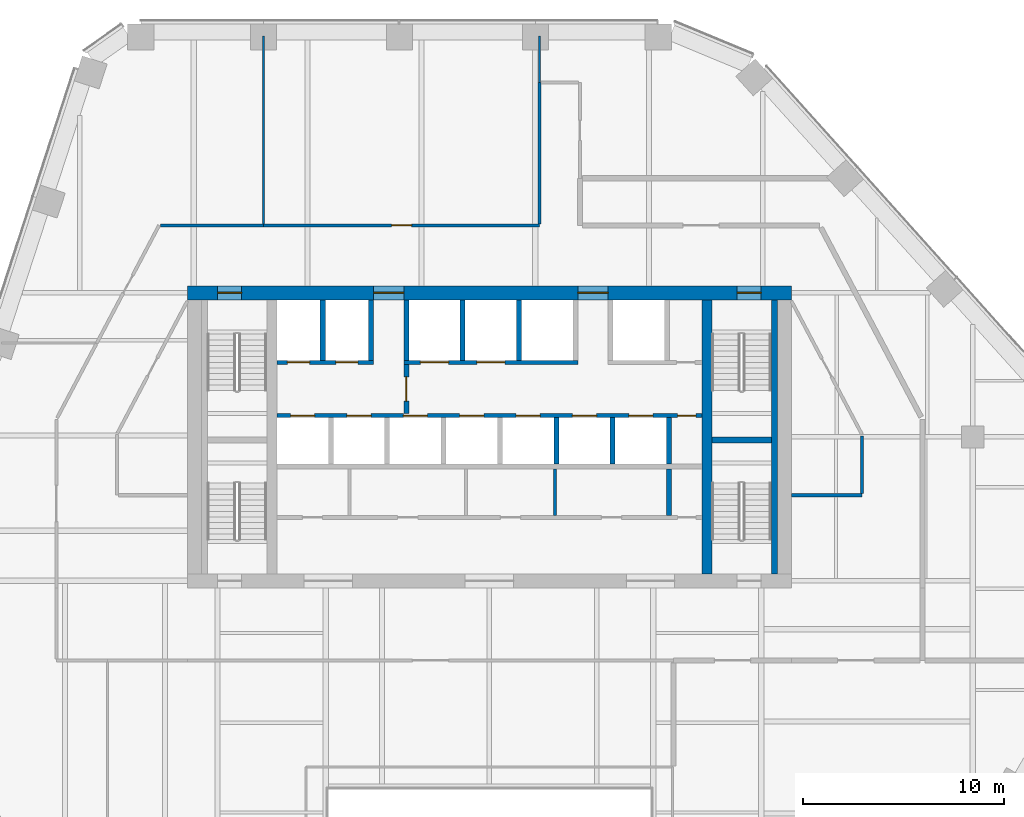
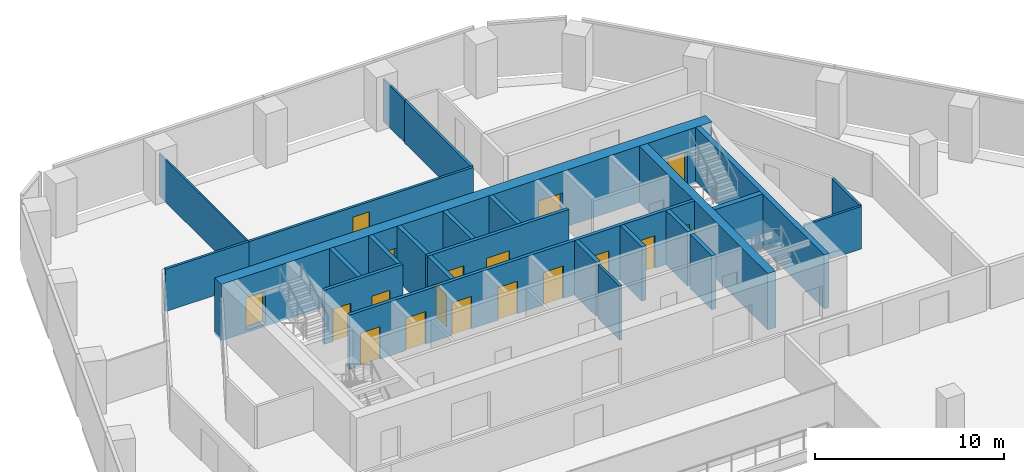
# One storey, part 12 of 16: 25 walls, 18 doors, 18 openings.
"""IFC4 building model written with IfcOpenShell, lengths in metres."""

from ifc_helpers import new_model, si_unit, direction, frame, frame_2d, origin, place, context, subcontext, project, spatial, rectangle, extrude, material, layer, layer_set, type_object, element, fill, save


model = new_model("IFC4")

# Units and contexts
model_context = context("Model", 3, precision=1e-05, world=origin(), true_north=direction((0.0, 1.0)))
body_context = subcontext(model_context, "Body", "Model", "MODEL_VIEW")
ifc_project = project(units=[si_unit("LENGTHUNIT", "METRE"), si_unit("AREAUNIT", "SQUARE_METRE"), si_unit("VOLUMEUNIT", "CUBIC_METRE"), si_unit("PLANEANGLEUNIT", "RADIAN"), si_unit("MASSUNIT", "GRAM", prefix="KILO")], contexts=[model_context])

# Site, building, storey
site_placement = place(None, origin())
site = spatial("IfcSite", under=ifc_project, at=site_placement, CompositionType="ELEMENT")
building_placement = place(site_placement, origin())
building = spatial("IfcBuilding", under=site, at=building_placement, Name="Isthmus Gate Tower", CompositionType="ELEMENT")
storey_placement = place(building_placement, frame((0.0, 0.0, 170.800048828125)))
storey = spatial("IfcBuildingStorey", under=building, at=storey_placement, Name="L42", CompositionType="ELEMENT", Elevation=170.800048828125)

# Wall, opening, door
ifc_material_1 = material(Name="Gypsum board on steel studs, fire-rated", Category="steel")
ifc_layer_1 = layer(ifc_material_1, 0.14990234375)
ifc_layer_set_1 = layer_set([ifc_layer_1], Name="CORRIDOR WALL 150 60 MIN")
wall_type_1 = type_object("IfcWallType", Name="CORRIDOR WALL 150 60 MIN", PredefinedType="PARTITIONING", material=ifc_layer_set_1)
wall_1_placement = place(storey_placement, frame((-11.2119140625, 18.0, 0.0), z_axis=(0.0, 0.0, 1.0), x_axis=(1.0, 0.0, 0.0)))
wall_1 = element("IfcWall", 1, at=wall_1_placement, inside=storey, type_object=wall_type_1, Name="L42 Corridor Wall 150 60 Min", PredefinedType="PARTITIONING", context=body_context, shape_type="SweptSolid", body=[
    extrude(rectangle(XDim=13.7119140625, YDim=0.14990234375, at=frame_2d((6.85595703125, 0.0))), origin(), (0.0, 0.0, 1.0), 2.7412109375),
])
opening_1_placement = place(wall_1_placement, frame((6.35595703125, 0.0, 0.0)))
opening_1 = element("IfcOpeningElement", 2, at=opening_1_placement, cuts=wall_1, Name="Opening DT-T4A-01", PredefinedType="OPENING", context=body_context, shape_type="SweptSolid", body=[
    extrude(rectangle(XDim=1.0, YDim=2.10009765625, at=frame_2d((0.5, 1.050048828125))), frame((0.0, 0.0849609375, 0.0), z_axis=(0.0, -1.0, 0.0), x_axis=(1.0, 0.0, 0.0)), (0.0, 0.0, 1.0), 0.169921875),
])
ifc_material_2 = material(Name="Solid core timber door leaf, fire-rated", Category="wood")
door_type_1 = type_object("IfcDoorType", Name="FIRE DOOR ROOM 1000 X 2100 60 MIN", OperationType="SINGLE_SWING_LEFT", PredefinedType="DOOR", material=ifc_material_2)
door_1_placement = place(opening_1_placement, origin())
door_1 = element("IfcDoor", 3, at=door_1_placement, inside=storey, type_object=door_type_1, Name="L42 room door", OperationType="SINGLE_SWING_RIGHT", OverallHeight=2.10009765625, OverallWidth=1.0, PredefinedType="DOOR", context=body_context, shape_type="SweptSolid", body=[
    extrude(rectangle(XDim=1.0, YDim=2.10009765625, at=frame_2d((0.5, 1.050048828125))), frame((0.0, 0.02490234375, 0.0), z_axis=(0.0, -1.0, 0.0), x_axis=(1.0, 0.0, 0.0)), (0.0, 0.0, 1.0), 0.050048828125),
])
fill(opening_1, door_1)

# Walls
wall_2_placement = place(storey_placement, frame((2.5, 18.074951171875, 0.0), z_axis=(0.0, 0.0, 1.0), x_axis=(0.0, 1.0, 0.0)))
element("IfcWall", 4, at=wall_2_placement, inside=storey, type_object=wall_type_1, Name="L42 Corridor Wall 150 60 Min", PredefinedType="PARTITIONING", context=body_context, shape_type="SweptSolid", body=[
    extrude(rectangle(XDim=7.025146484375, YDim=0.14990234375, at=frame_2d((3.5126953125, 0.0))), origin(), (0.0, 0.0, 1.0), 2.7412109375),
])
wall_3_placement = place(storey_placement, frame((-16.327880859375, 18.0, 0.0), z_axis=(0.0, 0.0, 1.0), x_axis=(1.0, 0.0, 0.0)))
element("IfcWall", 5, at=wall_3_placement, inside=storey, type_object=wall_type_1, Name="L42 Corridor Wall 150 60 Min", PredefinedType="PARTITIONING", context=body_context, shape_type="SweptSolid", body=[
    extrude(rectangle(XDim=5.115966796875, YDim=0.14990234375, at=frame_2d((2.55810546875, 0.0))), origin(), (0.0, 0.0, 1.0), 2.7412109375),
])
wall_4_placement = place(storey_placement, frame((15.0, 4.60009765625, 0.0), z_axis=(0.0, 0.0, 1.0), x_axis=(1.0, 0.0, 0.0)))
element("IfcWall", 6, at=wall_4_placement, inside=storey, type_object=wall_type_1, Name="L42 Corridor Wall 150 60 Min", PredefinedType="PARTITIONING", context=body_context, shape_type="SweptSolid", body=[
    extrude(rectangle(XDim=3.5, YDim=0.14990234375, at=frame_2d((1.75, 0.0))), origin(), (0.0, 0.0, 1.0), 2.7412109375),
])
wall_5_placement = place(storey_placement, frame((18.5, 4.675048828125, 0.0), z_axis=(0.0, 0.0, 1.0), x_axis=(0.0, 1.0, 0.0)))
element("IfcWall", 7, at=wall_5_placement, inside=storey, type_object=wall_type_1, Name="L42 Corridor Wall 150 60 Min", PredefinedType="PARTITIONING", context=body_context, shape_type="SweptSolid", body=[
    extrude(rectangle(XDim=2.876953125, YDim=0.14990234375, at=frame_2d((1.4384765625, 0.0))), origin(), (0.0, 0.0, 1.0), 2.7412109375),
])

# Wall, opening, door
ifc_material_3 = material(Name="Fire-rated blockwork masonry, 15 MPa", Category="masonry")
ifc_layer_2 = layer(ifc_material_3, 0.25)
ifc_layer_set_2 = layer_set([ifc_layer_2], Name="FIRE-FIGHTING LOBBY WALL 250 90 MIN")
wall_type_2 = type_object("IfcWallType", Name="FIRE-FIGHTING LOBBY WALL 250 90 MIN", PredefinedType="PARTITIONING", material=ifc_layer_set_2)
wall_6_placement = place(storey_placement, frame((-4.125, 8.64990234375, 0.0), z_axis=(0.0, 0.0, 1.0), x_axis=(0.0, 1.0, 0.0)))
wall_6 = element("IfcWall", 8, at=wall_6_placement, inside=storey, type_object=wall_type_2, Name="L42 FIRE-FIGHTING LOBBY WALL 250 90 MIN", PredefinedType="PARTITIONING", context=body_context, shape_type="SweptSolid", body=[
    extrude(rectangle(XDim=2.4501953125, YDim=0.25, at=frame_2d((1.22509765625, 0.0))), origin(), (0.0, 0.0, 1.0), 3.5),
])
opening_2_placement = place(wall_6_placement, frame((0.625, 0.0, 0.0)))
opening_2 = element("IfcOpeningElement", 9, at=opening_2_placement, cuts=wall_6, Name="Opening DC-A13-01", PredefinedType="OPENING", context=body_context, shape_type="SweptSolid", body=[
    extrude(rectangle(XDim=1.199951171875, YDim=2.10009765625, at=frame_2d((0.60009765625, 1.050048828125))), frame((0.0, 0.135009765625, 0.0), z_axis=(0.0, -1.0, 0.0), x_axis=(1.0, 0.0, 0.0)), (0.0, 0.0, 1.0), 0.27001953125),
])
ifc_material_4 = material(Name="Steel door leaf, fire-rated", Category="steel")
door_type_2 = type_object("IfcDoorType", Name="LOBBY FIRE DOOR 1200 X 2100 90 MIN", OperationType="DOUBLE_DOOR_SINGLE_SWING", PredefinedType="DOOR", material=ifc_material_4)
door_2_placement = place(opening_2_placement, origin())
door_2 = element("IfcDoor", 10, at=door_2_placement, inside=storey, type_object=door_type_2, Name="Fire-fighting Lobby Door", OperationType="SINGLE_SWING_LEFT", OverallHeight=2.10009765625, OverallWidth=1.199951171875, PredefinedType="DOOR", context=body_context, shape_type="SweptSolid", body=[
    extrude(rectangle(XDim=1.199951171875, YDim=2.10009765625, at=frame_2d((0.60009765625, 1.050048828125))), frame((0.0, 0.02490234375, 0.0), z_axis=(0.0, -1.0, 0.0), x_axis=(1.0, 0.0, 0.0)), (0.0, 0.0, 1.0), 0.050048828125),
])
fill(opening_2, door_2)

# Wall
ifc_material_5 = material(Name="Concrete f'c 60 MPa", Category="concrete")
ifc_layer_3 = layer(ifc_material_5, 0.5)
ifc_layer_set_3 = layer_set([ifc_layer_3], Name="RC CORE SPINE WALL 500 F'C 60")
wall_type_3 = type_object("IfcWallType", Name="RC CORE SPINE WALL 500 F'C 60", PredefinedType="SOLIDWALL", material=ifc_layer_set_3)
wall_7_placement = place(storey_placement, frame((10.800048828125, 0.699951171875, -0.150146484375), z_axis=(0.0, 0.0, 1.0), x_axis=(0.0, 1.0, 0.0)))
element("IfcWall", 11, at=wall_7_placement, inside=storey, type_object=wall_type_3, Name="str-corewall-L42-SPE", PredefinedType="SOLIDWALL", context=body_context, shape_type="SweptSolid", body=[
    extrude(rectangle(XDim=13.60009765625, YDim=0.5, at=frame_2d((6.800048828125, 0.0))), origin(), (0.0, 0.0, 1.0), 3.650146484375),
])

# Wall, openings, doors
ifc_material_6 = material(Name="Concrete f'c 60 MPa", Category="concrete")
ifc_layer_4 = layer(ifc_material_6, 0.699951171875)
ifc_layer_set_4 = layer_set([ifc_layer_4], Name="RC CORE WALL 700 F'C 60")
wall_type_4 = type_object("IfcWallType", Name="RC CORE WALL 700 F'C 60", PredefinedType="SOLIDWALL", material=ifc_layer_set_4)
wall_8_placement = place(storey_placement, frame((-15.0, 14.64990234375, -0.150146484375), z_axis=(0.0, 0.0, 1.0), x_axis=(1.0, 0.0, 0.0)))
wall_8 = element("IfcWall", 12, at=wall_8_placement, inside=storey, type_object=wall_type_4, Name="str-corewall-L42-N", PredefinedType="SOLIDWALL", context=body_context, shape_type="SweptSolid", body=[
    extrude(rectangle(XDim=30.0, YDim=0.699951171875, at=frame_2d((15.0, 0.0))), origin(), (0.0, 0.0, 1.0), 3.650146484375),
])
opening_3_placement = place(wall_8_placement, frame((9.25, 0.0, 0.14990234375)))
opening_3 = element("IfcOpeningElement", 13, at=opening_3_placement, cuts=wall_8, Name="Opening DC-A13-12", PredefinedType="OPENING", context=body_context, shape_type="SweptSolid", body=[
    extrude(rectangle(XDim=1.5, YDim=2.10009765625, at=frame_2d((0.75, 1.050048828125))), frame((0.0, 0.35986328125, 0.0), z_axis=(0.0, -1.0, 0.0), x_axis=(1.0, 0.0, 0.0)), (0.0, 0.0, 1.0), 0.719970703125),
])
opening_4_placement = place(wall_8_placement, frame((19.39990234375, 0.0, 0.14990234375)))
opening_4 = element("IfcOpeningElement", 14, at=opening_4_placement, cuts=wall_8, Name="Opening DC-A13-13", PredefinedType="OPENING", context=body_context, shape_type="SweptSolid", body=[
    extrude(rectangle(XDim=1.5, YDim=2.10009765625, at=frame_2d((0.75, 1.050048828125))), frame((0.0, 0.35986328125, 0.0), z_axis=(0.0, -1.0, 0.0), x_axis=(1.0, 0.0, 0.0)), (0.0, 0.0, 1.0), 0.719970703125),
])
opening_5_placement = place(wall_8_placement, frame((1.5, 0.0, 0.14990234375)))
opening_5 = element("IfcOpeningElement", 15, at=opening_5_placement, cuts=wall_8, Name="Opening DC-A13-14", PredefinedType="OPENING", context=body_context, shape_type="SweptSolid", body=[
    extrude(rectangle(XDim=1.199951171875, YDim=2.10009765625, at=frame_2d((0.60009765625, 1.050048828125))), frame((0.0, 0.35986328125, 0.0), z_axis=(0.0, -1.0, 0.0), x_axis=(1.0, 0.0, 0.0)), (0.0, 0.0, 1.0), 0.719970703125),
])
opening_6_placement = place(wall_8_placement, frame((27.300048828125, 0.0, 0.14990234375)))
opening_6 = element("IfcOpeningElement", 16, at=opening_6_placement, cuts=wall_8, Name="Opening DC-A13-15", PredefinedType="OPENING", context=body_context, shape_type="SweptSolid", body=[
    extrude(rectangle(XDim=1.199951171875, YDim=2.10009765625, at=frame_2d((0.60009765625, 1.050048828125))), frame((0.0, 0.35986328125, 0.0), z_axis=(0.0, -1.0, 0.0), x_axis=(1.0, 0.0, 0.0)), (0.0, 0.0, 1.0), 0.719970703125),
])
ifc_material_7 = material(Name="Steel door leaf, fire-rated", Category="steel")
door_type_3 = type_object("IfcDoorType", Name="LOBBY FIRE DOOR 1500 X 2100 60 MIN", OperationType="DOUBLE_DOOR_SINGLE_SWING", PredefinedType="DOOR", material=ifc_material_7)
door_3_placement = place(opening_4_placement, origin())
door_3 = element("IfcDoor", 17, at=door_3_placement, inside=storey, type_object=door_type_3, Name="Lobby Door PN-E", OperationType="DOUBLE_DOOR_SINGLE_SWING", OverallHeight=2.10009765625, OverallWidth=1.5, PredefinedType="DOOR", context=body_context, shape_type="SweptSolid", body=[
    extrude(rectangle(XDim=1.5, YDim=2.10009765625, at=frame_2d((0.75, 1.050048828125))), frame((0.0, 0.02490234375, 0.0), z_axis=(0.0, -1.0, 0.0), x_axis=(1.0, 0.0, 0.0)), (0.0, 0.0, 1.0), 0.050048828125),
])
fill(opening_4, door_3)
ifc_material_8 = material(Name="Steel door leaf, fire-rated", Category="steel")
door_type_4 = type_object("IfcDoorType", Name="LOBBY FIRE DOOR 1500 X 2100 90 MIN", OperationType="DOUBLE_DOOR_SINGLE_SWING", PredefinedType="DOOR", material=ifc_material_8)
door_4_placement = place(opening_3_placement, origin())
door_4 = element("IfcDoor", 18, at=door_4_placement, inside=storey, type_object=door_type_4, Name="Lobby Door PN-W", OperationType="DOUBLE_DOOR_SINGLE_SWING", OverallHeight=2.10009765625, OverallWidth=1.5, PredefinedType="DOOR", context=body_context, shape_type="SweptSolid", body=[
    extrude(rectangle(XDim=1.5, YDim=2.10009765625, at=frame_2d((0.75, 1.050048828125))), frame((0.0, 0.02490234375, 0.0), z_axis=(0.0, -1.0, 0.0), x_axis=(1.0, 0.0, 0.0)), (0.0, 0.0, 1.0), 0.050048828125),
])
fill(opening_3, door_4)
ifc_material_9 = material(Name="Steel door leaf, fire-rated", Category="steel")
door_type_5 = type_object("IfcDoorType", Name="STAIR FIRE DOOR 1200 X 2100 90 MIN", OperationType="SINGLE_SWING_LEFT", PredefinedType="DOOR", material=ifc_material_9)
door_5_placement = place(opening_5_placement, origin())
door_5 = element("IfcDoor", 19, at=door_5_placement, inside=storey, type_object=door_type_5, Name="Exit Stair 1 Door", OperationType="SINGLE_SWING_RIGHT", OverallHeight=2.10009765625, OverallWidth=1.199951171875, PredefinedType="DOOR", context=body_context, shape_type="SweptSolid", body=[
    extrude(rectangle(XDim=1.199951171875, YDim=2.10009765625, at=frame_2d((0.60009765625, 1.050048828125))), frame((0.0, 0.02490234375, 0.0), z_axis=(0.0, -1.0, 0.0), x_axis=(1.0, 0.0, 0.0)), (0.0, 0.0, 1.0), 0.050048828125),
])
fill(opening_5, door_5)
door_6_placement = place(opening_6_placement, origin())
door_6 = element("IfcDoor", 20, at=door_6_placement, inside=storey, type_object=door_type_5, Name="Exit Stair 2 Door", OperationType="SINGLE_SWING_LEFT", OverallHeight=2.10009765625, OverallWidth=1.199951171875, PredefinedType="DOOR", context=body_context, shape_type="SweptSolid", body=[
    extrude(rectangle(XDim=1.199951171875, YDim=2.10009765625, at=frame_2d((0.60009765625, 1.050048828125))), frame((0.0, 0.02490234375, 0.0), z_axis=(0.0, -1.0, 0.0), x_axis=(1.0, 0.0, 0.0)), (0.0, 0.0, 1.0), 0.050048828125),
])
fill(opening_6, door_6)

# Walls
ifc_material_10 = material(Name="Gypsum board on steel studs, fire-rated", Category="steel")
ifc_layer_5 = layer(ifc_material_10, 0.10009765625)
ifc_layer_set_5 = layer_set([ifc_layer_5], Name="ROOM PARTITION 100 30 MIN")
wall_type_5 = type_object("IfcWallType", Name="ROOM PARTITION 100 30 MIN", PredefinedType="PARTITIONING", material=ifc_layer_set_5)
wall_9_placement = place(storey_placement, frame((2.5, 25.10009765625, 0.0), z_axis=(0.0, 0.0, 1.0), x_axis=(0.0, 1.0, 0.0)))
element("IfcWall", 21, at=wall_9_placement, inside=storey, type_object=wall_type_5, Name="L42 Room Partition 100 30 Min", PredefinedType="PARTITIONING", context=body_context, shape_type="SweptSolid", body=[
    extrude(rectangle(XDim=2.2998046875, YDim=0.10009765625, at=frame_2d((1.14990234375, 0.0))), origin(), (0.0, 0.0, 1.0), 2.7412109375),
])
wall_10_placement = place(storey_placement, frame((-11.2119140625, 18.074951171875, 0.0), z_axis=(0.0, 0.0, 1.0), x_axis=(0.0, 1.0, 0.0)))
element("IfcWall", 22, at=wall_10_placement, inside=storey, type_object=wall_type_5, Name="L42 Room Partition 100 30 Min", PredefinedType="PARTITIONING", context=body_context, shape_type="SweptSolid", body=[
    extrude(rectangle(XDim=9.324951171875, YDim=0.10009765625, at=frame_2d((4.66259765625, 0.0))), origin(), (0.0, 0.0, 1.0), 2.7412109375),
])
ifc_material_11 = material(Name="Gypsum board on steel studs, fire-rated", Category="steel")
ifc_layer_6 = layer(ifc_material_11, 0.14990234375)
ifc_layer_set_6 = layer_set([ifc_layer_6], Name="ROOM PARTITION 150 60 MIN")
wall_type_6 = type_object("IfcWallType", Name="ROOM PARTITION 150 60 MIN", PredefinedType="PARTITIONING", material=ifc_layer_set_6)
wall_11_placement = place(storey_placement, frame((3.25, 3.60009765625, 0.0), z_axis=(0.0, 0.0, 1.0), x_axis=(0.0, 1.0, 0.0)))
element("IfcWall", 23, at=wall_11_placement, inside=storey, type_object=wall_type_6, Name="L42 ROOM PARTITION 150 60 MIN", PredefinedType="PARTITIONING", context=body_context, shape_type="SweptSolid", body=[
    extrude(rectangle(XDim=2.2998046875, YDim=0.14990234375, at=frame_2d((1.14990234375, 0.0))), origin(), (0.0, 0.0, 1.0), 3.5),
])

# Wall, openings, doors
ifc_material_12 = material(Name="Fire-rated blockwork masonry, 15 MPa", Category="masonry")
ifc_layer_7 = layer(ifc_material_12, 0.199951171875)
ifc_layer_set_7 = layer_set([ifc_layer_7], Name="SHAFT FRONT WALL 200 120 MIN")
wall_type_7 = type_object("IfcWallType", Name="SHAFT FRONT WALL 200 120 MIN", PredefinedType="PARTITIONING", material=ifc_layer_set_7)
wall_12_placement = place(storey_placement, frame((-10.550048828125, 8.550048828125, 0.0), z_axis=(0.0, 0.0, 1.0), x_axis=(1.0, 0.0, 0.0)))
wall_12 = element("IfcWall", 24, at=wall_12_placement, inside=storey, type_object=wall_type_7, Name="L42 SHAFT FRONT WALL 200 120 MIN", PredefinedType="PARTITIONING", context=body_context, shape_type="SweptSolid", body=[
    extrude(rectangle(XDim=21.10009765625, YDim=0.199951171875, at=frame_2d((10.550048828125, 0.0))), origin(), (0.0, 0.0, 1.0), 3.5),
])
opening_7_placement = place(wall_12_placement, frame((0.675048828125, 0.0, 0.0)))
opening_7 = element("IfcOpeningElement", 25, at=opening_7_placement, cuts=wall_12, Name="Opening LD-LB1", PredefinedType="OPENING", context=body_context, shape_type="SweptSolid", body=[
    extrude(rectangle(XDim=1.199951171875, YDim=2.10009765625, at=frame_2d((0.60009765625, 1.050048828125))), frame((0.0, 0.10986328125, 0.0), z_axis=(0.0, -1.0, 0.0), x_axis=(1.0, 0.0, 0.0)), (0.0, 0.0, 1.0), 0.219970703125),
])
opening_8_placement = place(wall_12_placement, frame((3.47509765625, 0.0, 0.0)))
opening_8 = element("IfcOpeningElement", 26, at=opening_8_placement, cuts=wall_12, Name="Opening LD-LB2", PredefinedType="OPENING", context=body_context, shape_type="SweptSolid", body=[
    extrude(rectangle(XDim=1.199951171875, YDim=2.10009765625, at=frame_2d((0.60009765625, 1.050048828125))), frame((0.0, 0.10986328125, 0.0), z_axis=(0.0, -1.0, 0.0), x_axis=(1.0, 0.0, 0.0)), (0.0, 0.0, 1.0), 0.219970703125),
])
opening_9_placement = place(wall_12_placement, frame((6.27490234375, 0.0, 0.0)))
opening_9 = element("IfcOpeningElement", 27, at=opening_9_placement, cuts=wall_12, Name="Opening LD-LB3", PredefinedType="OPENING", context=body_context, shape_type="SweptSolid", body=[
    extrude(rectangle(XDim=1.199951171875, YDim=2.10009765625, at=frame_2d((0.60009765625, 1.050048828125))), frame((0.0, 0.10986328125, 0.0), z_axis=(0.0, -1.0, 0.0), x_axis=(1.0, 0.0, 0.0)), (0.0, 0.0, 1.0), 0.219970703125),
])
opening_10_placement = place(wall_12_placement, frame((9.074951171875, 0.0, 0.0)))
opening_10 = element("IfcOpeningElement", 28, at=opening_10_placement, cuts=wall_12, Name="Opening LD-LB4", PredefinedType="OPENING", context=body_context, shape_type="SweptSolid", body=[
    extrude(rectangle(XDim=1.199951171875, YDim=2.10009765625, at=frame_2d((0.60009765625, 1.050048828125))), frame((0.0, 0.10986328125, 0.0), z_axis=(0.0, -1.0, 0.0), x_axis=(1.0, 0.0, 0.0)), (0.0, 0.0, 1.0), 0.219970703125),
])
opening_11_placement = place(wall_12_placement, frame((11.875, 0.0, 0.0)))
opening_11 = element("IfcOpeningElement", 29, at=opening_11_placement, cuts=wall_12, Name="Opening LD-LB5", PredefinedType="OPENING", context=body_context, shape_type="SweptSolid", body=[
    extrude(rectangle(XDim=1.199951171875, YDim=2.10009765625, at=frame_2d((0.60009765625, 1.050048828125))), frame((0.0, 0.10986328125, 0.0), z_axis=(0.0, -1.0, 0.0), x_axis=(1.0, 0.0, 0.0)), (0.0, 0.0, 1.0), 0.219970703125),
])
opening_12_placement = place(wall_12_placement, frame((14.675048828125, 0.0, 0.0)))
opening_12 = element("IfcOpeningElement", 30, at=opening_12_placement, cuts=wall_12, Name="Opening LD-LB6", PredefinedType="OPENING", context=body_context, shape_type="SweptSolid", body=[
    extrude(rectangle(XDim=1.199951171875, YDim=2.10009765625, at=frame_2d((0.60009765625, 1.050048828125))), frame((0.0, 0.10986328125, 0.0), z_axis=(0.0, -1.0, 0.0), x_axis=(1.0, 0.0, 0.0)), (0.0, 0.0, 1.0), 0.219970703125),
])
opening_13_placement = place(wall_12_placement, frame((17.47509765625, 0.0, 0.0)))
opening_13 = element("IfcOpeningElement", 31, at=opening_13_placement, cuts=wall_12, Name="Opening LD-LB7", PredefinedType="OPENING", context=body_context, shape_type="SweptSolid", body=[
    extrude(rectangle(XDim=1.199951171875, YDim=2.10009765625, at=frame_2d((0.60009765625, 1.050048828125))), frame((0.0, 0.10986328125, 0.0), z_axis=(0.0, -1.0, 0.0), x_axis=(1.0, 0.0, 0.0)), (0.0, 0.0, 1.0), 0.219970703125),
])
opening_14_placement = place(wall_12_placement, frame((19.89990234375, 0.0, 0.0)))
opening_14 = element("IfcOpeningElement", 32, at=opening_14_placement, cuts=wall_12, Name="Opening DC-A13-07", PredefinedType="OPENING", context=body_context, shape_type="SweptSolid", body=[
    extrude(rectangle(XDim=0.89990234375, YDim=2.10009765625, at=frame_2d((0.449951171875, 1.050048828125))), frame((0.0, 0.10986328125, 0.0), z_axis=(0.0, -1.0, 0.0), x_axis=(1.0, 0.0, 0.0)), (0.0, 0.0, 1.0), 0.219970703125),
])
ifc_material_13 = material(Name="Stainless steel sliding leaf", Category="steel")
door_type_6 = type_object("IfcDoorType", Name="LIFT LANDING FIRE DOOR 1200 X 2100 90 MIN", OperationType="DOUBLE_DOOR_SLIDING", PredefinedType="DOOR", material=ifc_material_13)
door_7_placement = place(opening_7_placement, origin())
door_7 = element("IfcDoor", 33, at=door_7_placement, inside=storey, type_object=door_type_6, Name="Lift Landing Door LB1", OperationType="DOUBLE_DOOR_SLIDING", OverallHeight=2.10009765625, OverallWidth=1.199951171875, PredefinedType="DOOR", context=body_context, shape_type="SweptSolid", body=[
    extrude(rectangle(XDim=1.199951171875, YDim=2.10009765625, at=frame_2d((0.60009765625, 1.050048828125))), frame((0.0, 0.02490234375, 0.0), z_axis=(0.0, -1.0, 0.0), x_axis=(1.0, 0.0, 0.0)), (0.0, 0.0, 1.0), 0.050048828125),
])
fill(opening_7, door_7)
door_8_placement = place(opening_8_placement, origin())
door_8 = element("IfcDoor", 34, at=door_8_placement, inside=storey, type_object=door_type_6, Name="Lift Landing Door LB2", OperationType="DOUBLE_DOOR_SLIDING", OverallHeight=2.10009765625, OverallWidth=1.199951171875, PredefinedType="DOOR", context=body_context, shape_type="SweptSolid", body=[
    extrude(rectangle(XDim=1.199951171875, YDim=2.10009765625, at=frame_2d((0.60009765625, 1.050048828125))), frame((0.0, 0.02490234375, 0.0), z_axis=(0.0, -1.0, 0.0), x_axis=(1.0, 0.0, 0.0)), (0.0, 0.0, 1.0), 0.050048828125),
])
fill(opening_8, door_8)
door_9_placement = place(opening_9_placement, origin())
door_9 = element("IfcDoor", 35, at=door_9_placement, inside=storey, type_object=door_type_6, Name="Lift Landing Door LB3", OperationType="DOUBLE_DOOR_SLIDING", OverallHeight=2.10009765625, OverallWidth=1.199951171875, PredefinedType="DOOR", context=body_context, shape_type="SweptSolid", body=[
    extrude(rectangle(XDim=1.199951171875, YDim=2.10009765625, at=frame_2d((0.60009765625, 1.050048828125))), frame((0.0, 0.02490234375, 0.0), z_axis=(0.0, -1.0, 0.0), x_axis=(1.0, 0.0, 0.0)), (0.0, 0.0, 1.0), 0.050048828125),
])
fill(opening_9, door_9)
door_10_placement = place(opening_10_placement, origin())
door_10 = element("IfcDoor", 36, at=door_10_placement, inside=storey, type_object=door_type_6, Name="Lift Landing Door LB4", OperationType="DOUBLE_DOOR_SLIDING", OverallHeight=2.10009765625, OverallWidth=1.199951171875, PredefinedType="DOOR", context=body_context, shape_type="SweptSolid", body=[
    extrude(rectangle(XDim=1.199951171875, YDim=2.10009765625, at=frame_2d((0.60009765625, 1.050048828125))), frame((0.0, 0.02490234375, 0.0), z_axis=(0.0, -1.0, 0.0), x_axis=(1.0, 0.0, 0.0)), (0.0, 0.0, 1.0), 0.050048828125),
])
fill(opening_10, door_10)
door_11_placement = place(opening_11_placement, origin())
door_11 = element("IfcDoor", 37, at=door_11_placement, inside=storey, type_object=door_type_6, Name="Lift Landing Door LB5", OperationType="DOUBLE_DOOR_SLIDING", OverallHeight=2.10009765625, OverallWidth=1.199951171875, PredefinedType="DOOR", context=body_context, shape_type="SweptSolid", body=[
    extrude(rectangle(XDim=1.199951171875, YDim=2.10009765625, at=frame_2d((0.60009765625, 1.050048828125))), frame((0.0, 0.02490234375, 0.0), z_axis=(0.0, -1.0, 0.0), x_axis=(1.0, 0.0, 0.0)), (0.0, 0.0, 1.0), 0.050048828125),
])
fill(opening_11, door_11)
door_12_placement = place(opening_12_placement, origin())
door_12 = element("IfcDoor", 38, at=door_12_placement, inside=storey, type_object=door_type_6, Name="Lift Landing Door LB6", OperationType="DOUBLE_DOOR_SLIDING", OverallHeight=2.10009765625, OverallWidth=1.199951171875, PredefinedType="DOOR", context=body_context, shape_type="SweptSolid", body=[
    extrude(rectangle(XDim=1.199951171875, YDim=2.10009765625, at=frame_2d((0.60009765625, 1.050048828125))), frame((0.0, 0.02490234375, 0.0), z_axis=(0.0, -1.0, 0.0), x_axis=(1.0, 0.0, 0.0)), (0.0, 0.0, 1.0), 0.050048828125),
])
fill(opening_12, door_12)
door_13_placement = place(opening_13_placement, origin())
door_13 = element("IfcDoor", 39, at=door_13_placement, inside=storey, type_object=door_type_6, Name="Lift Landing Door LB7", OperationType="DOUBLE_DOOR_SLIDING", OverallHeight=2.10009765625, OverallWidth=1.199951171875, PredefinedType="DOOR", context=body_context, shape_type="SweptSolid", body=[
    extrude(rectangle(XDim=1.199951171875, YDim=2.10009765625, at=frame_2d((0.60009765625, 1.050048828125))), frame((0.0, 0.02490234375, 0.0), z_axis=(0.0, -1.0, 0.0), x_axis=(1.0, 0.0, 0.0)), (0.0, 0.0, 1.0), 0.050048828125),
])
fill(opening_13, door_13)
ifc_material_14 = material(Name="Steel door leaf, fire-rated", Category="steel")
door_type_7 = type_object("IfcDoorType", Name="RISER FIRE DOOR 900 X 2100 90 MIN", OperationType="SINGLE_SWING_LEFT", PredefinedType="DOOR", material=ifc_material_14)
door_14_placement = place(opening_14_placement, origin())
door_14 = element("IfcDoor", 40, at=door_14_placement, inside=storey, type_object=door_type_7, Name="Riser Door", OperationType="SINGLE_SWING_RIGHT", OverallHeight=2.10009765625, OverallWidth=0.89990234375, PredefinedType="DOOR", context=body_context, shape_type="SweptSolid", body=[
    extrude(rectangle(XDim=0.89990234375, YDim=2.10009765625, at=frame_2d((0.449951171875, 1.050048828125))), frame((0.0, 0.02490234375, 0.0), z_axis=(0.0, -1.0, 0.0), x_axis=(1.0, 0.0, 0.0)), (0.0, 0.0, 1.0), 0.050048828125),
])
fill(opening_14, door_14)

wall_13_placement = place(storey_placement, frame((-10.550048828125, 11.199951171875, 0.0), z_axis=(0.0, 0.0, 1.0), x_axis=(1.0, 0.0, 0.0)))
wall_13 = element("IfcWall", 41, at=wall_13_placement, inside=storey, type_object=wall_type_7, Name="L42 SHAFT FRONT WALL 200 120 MIN", PredefinedType="PARTITIONING", context=body_context, shape_type="SweptSolid", body=[
    extrude(rectangle(XDim=4.800048828125, YDim=0.199951171875, at=frame_2d((2.39990234375, 0.0))), origin(), (0.0, 0.0, 1.0), 3.5),
])
opening_15_placement = place(wall_13_placement, frame((0.52490234375, 0.0, 0.0)))
opening_15 = element("IfcOpeningElement", 42, at=opening_15_placement, cuts=wall_13, Name="Opening LD-LF1", PredefinedType="OPENING", context=body_context, shape_type="SweptSolid", body=[
    extrude(rectangle(XDim=1.10009765625, YDim=2.10009765625, at=frame_2d((0.550048828125, 1.050048828125))), frame((0.0, 0.10986328125, 0.0), z_axis=(0.0, -1.0, 0.0), x_axis=(1.0, 0.0, 0.0)), (0.0, 0.0, 1.0), 0.219970703125),
])
opening_16_placement = place(wall_13_placement, frame((2.925048828125, 0.0, 0.0)))
opening_16 = element("IfcOpeningElement", 43, at=opening_16_placement, cuts=wall_13, Name="Opening LD-LF2", PredefinedType="OPENING", context=body_context, shape_type="SweptSolid", body=[
    extrude(rectangle(XDim=1.10009765625, YDim=2.10009765625, at=frame_2d((0.550048828125, 1.050048828125))), frame((0.0, 0.10986328125, 0.0), z_axis=(0.0, -1.0, 0.0), x_axis=(1.0, 0.0, 0.0)), (0.0, 0.0, 1.0), 0.219970703125),
])
ifc_material_15 = material(Name="Stainless steel sliding leaf", Category="steel")
door_type_8 = type_object("IfcDoorType", Name="LIFT LANDING FIRE DOOR 1100 X 2100 90 MIN", OperationType="DOUBLE_DOOR_SLIDING", PredefinedType="DOOR", material=ifc_material_15)
door_15_placement = place(opening_15_placement, origin())
door_15 = element("IfcDoor", 44, at=door_15_placement, inside=storey, type_object=door_type_8, Name="Lift Landing Door LF1", OperationType="DOUBLE_DOOR_SLIDING", OverallHeight=2.10009765625, OverallWidth=1.10009765625, PredefinedType="DOOR", context=body_context, shape_type="SweptSolid", body=[
    extrude(rectangle(XDim=1.10009765625, YDim=2.10009765625, at=frame_2d((0.550048828125, 1.050048828125))), frame((0.0, 0.02490234375, 0.0), z_axis=(0.0, -1.0, 0.0), x_axis=(1.0, 0.0, 0.0)), (0.0, 0.0, 1.0), 0.050048828125),
])
fill(opening_15, door_15)
door_16_placement = place(opening_16_placement, origin())
door_16 = element("IfcDoor", 45, at=door_16_placement, inside=storey, type_object=door_type_8, Name="Lift Landing Door LF2", OperationType="DOUBLE_DOOR_SLIDING", OverallHeight=2.10009765625, OverallWidth=1.10009765625, PredefinedType="DOOR", context=body_context, shape_type="SweptSolid", body=[
    extrude(rectangle(XDim=1.10009765625, YDim=2.10009765625, at=frame_2d((0.550048828125, 1.050048828125))), frame((0.0, 0.02490234375, 0.0), z_axis=(0.0, -1.0, 0.0), x_axis=(1.0, 0.0, 0.0)), (0.0, 0.0, 1.0), 0.050048828125),
])
fill(opening_16, door_16)

wall_14_placement = place(storey_placement, frame((-4.25, 11.199951171875, 0.0), z_axis=(0.0, 0.0, 1.0), x_axis=(1.0, 0.0, 0.0)))
wall_14 = element("IfcWall", 46, at=wall_14_placement, inside=storey, type_object=wall_type_7, Name="L42 SHAFT FRONT WALL 200 120 MIN", PredefinedType="PARTITIONING", context=body_context, shape_type="SweptSolid", body=[
    extrude(rectangle(XDim=8.64990234375, YDim=0.199951171875, at=frame_2d((4.324951171875, 0.0))), origin(), (0.0, 0.0, 1.0), 3.5),
])
opening_17_placement = place(wall_14_placement, frame((0.824951171875, 0.0, 0.0)))
opening_17 = element("IfcOpeningElement", 47, at=opening_17_placement, cuts=wall_14, Name="Opening LD-LV1", PredefinedType="OPENING", context=body_context, shape_type="SweptSolid", body=[
    extrude(rectangle(XDim=1.39990234375, YDim=2.10009765625, at=frame_2d((0.699951171875, 1.050048828125))), frame((0.0, 0.10986328125, 0.0), z_axis=(0.0, -1.0, 0.0), x_axis=(1.0, 0.0, 0.0)), (0.0, 0.0, 1.0), 0.219970703125),
])
opening_18_placement = place(wall_14_placement, frame((3.625, 0.0, 0.0)))
opening_18 = element("IfcOpeningElement", 48, at=opening_18_placement, cuts=wall_14, Name="Opening LD-LV2", PredefinedType="OPENING", context=body_context, shape_type="SweptSolid", body=[
    extrude(rectangle(XDim=1.39990234375, YDim=2.10009765625, at=frame_2d((0.699951171875, 1.050048828125))), frame((0.0, 0.10986328125, 0.0), z_axis=(0.0, -1.0, 0.0), x_axis=(1.0, 0.0, 0.0)), (0.0, 0.0, 1.0), 0.219970703125),
])
ifc_material_16 = material(Name="Stainless steel sliding leaf", Category="steel")
door_type_9 = type_object("IfcDoorType", Name="LIFT LANDING FIRE DOOR 1400 X 2100 90 MIN", OperationType="DOUBLE_DOOR_SLIDING", PredefinedType="DOOR", material=ifc_material_16)
door_17_placement = place(opening_17_placement, origin())
door_17 = element("IfcDoor", 49, at=door_17_placement, inside=storey, type_object=door_type_9, Name="Lift Landing Door LV1", OperationType="DOUBLE_DOOR_SLIDING", OverallHeight=2.10009765625, OverallWidth=1.39990234375, PredefinedType="DOOR", context=body_context, shape_type="SweptSolid", body=[
    extrude(rectangle(XDim=1.39990234375, YDim=2.10009765625, at=frame_2d((0.699951171875, 1.050048828125))), frame((0.0, 0.02490234375, 0.0), z_axis=(0.0, -1.0, 0.0), x_axis=(1.0, 0.0, 0.0)), (0.0, 0.0, 1.0), 0.050048828125),
])
fill(opening_17, door_17)
door_18_placement = place(opening_18_placement, origin())
door_18 = element("IfcDoor", 50, at=door_18_placement, inside=storey, type_object=door_type_9, Name="Lift Landing Door LV2", OperationType="DOUBLE_DOOR_SLIDING", OverallHeight=2.10009765625, OverallWidth=1.39990234375, PredefinedType="DOOR", context=body_context, shape_type="SweptSolid", body=[
    extrude(rectangle(XDim=1.39990234375, YDim=2.10009765625, at=frame_2d((0.699951171875, 1.050048828125))), frame((0.0, 0.02490234375, 0.0), z_axis=(0.0, -1.0, 0.0), x_axis=(1.0, 0.0, 0.0)), (0.0, 0.0, 1.0), 0.050048828125),
])
fill(opening_18, door_18)

# Walls
ifc_material_17 = material(Name="Fire-rated blockwork masonry, 15 MPa", Category="masonry")
ifc_layer_8 = layer(ifc_material_17, 0.25)
ifc_layer_set_8 = layer_set([ifc_layer_8], Name="SHAFT WALL 250 120 MIN")
wall_type_8 = type_object("IfcWallType", Name="SHAFT WALL 250 120 MIN", PredefinedType="PARTITIONING", material=ifc_layer_set_8)
wall_15_placement = place(storey_placement, frame((8.925048828125, 3.60009765625, 0.0), z_axis=(0.0, 0.0, 1.0), x_axis=(0.0, 1.0, 0.0)))
element("IfcWall", 51, at=wall_15_placement, inside=storey, type_object=wall_type_8, Name="L42 SHAFT WALL 250 120 MIN", PredefinedType="PARTITIONING", context=body_context, shape_type="SweptSolid", body=[
    extrude(rectangle(XDim=2.2998046875, YDim=0.25, at=frame_2d((1.14990234375, 0.0))), origin(), (0.0, 0.0, 1.0), 3.5),
])
for number, where, z_axis, x_axis, name in (
    (52, (3.324951171875, 6.14990234375, 0.0), (0.0, 0.0, 1.0), (0.0, 1.0, 0.0), "L42 SHAFT WALL 250 120 MIN"),
    (53, (6.125, 6.14990234375, 0.0), (0.0, 0.0, 1.0), (0.0, 1.0, 0.0), "L42 SHAFT WALL 250 120 MIN"),
    (54, (8.925048828125, 6.14990234375, 0.0), (0.0, 0.0, 1.0), (0.0, 1.0, 0.0), "L42 SHAFT WALL 250 120 MIN"),
):
    element("IfcWall", number, at=place(storey_placement, frame(where, z_axis=z_axis, x_axis=x_axis)), inside=storey, type_object=wall_type_8, Name=name, PredefinedType="PARTITIONING", context=body_context, shape_type="SweptSolid", body=[
        extrude(rectangle(XDim=2.300048828125, YDim=0.25, at=frame_2d((1.14990234375, 0.0))), origin(), (0.0, 0.0, 1.0), 3.5),
    ])
for number, where, z_axis, x_axis, name in (
    (55, (-8.27490234375, 11.300048828125, 0.0), (0.0, 0.0, 1.0), (0.0, 1.0, 0.0), "L42 SHAFT WALL 250 120 MIN"),
    (56, (-5.875, 11.300048828125, 0.0), (0.0, 0.0, 1.0), (0.0, 1.0, 0.0), "L42 SHAFT WALL 250 120 MIN"),
    (57, (-4.125, 11.300048828125, 0.0), (0.0, 0.0, 1.0), (0.0, 1.0, 0.0), "L42 SHAFT WALL 250 120 MIN"),
    (58, (-1.324951171875, 11.300048828125, 0.0), (0.0, 0.0, 1.0), (0.0, 1.0, 0.0), "L42 SHAFT WALL 250 120 MIN"),
    (59, (1.47509765625, 11.300048828125, 0.0), (0.0, 0.0, 1.0), (0.0, 1.0, 0.0), "L42 SHAFT WALL 250 120 MIN"),
):
    element("IfcWall", number, at=place(storey_placement, frame(where, z_axis=z_axis, x_axis=x_axis)), inside=storey, type_object=wall_type_8, Name=name, PredefinedType="PARTITIONING", context=body_context, shape_type="SweptSolid", body=[
        extrude(rectangle(XDim=3.0, YDim=0.25, at=frame_2d((1.5, 0.0))), origin(), (0.0, 0.0, 1.0), 3.5),
    ])
ifc_material_18 = material(Name="Concrete f'c 40 MPa", Category="concrete")
ifc_layer_9 = layer(ifc_material_18, 0.300048828125)
ifc_layer_set_9 = layer_set([ifc_layer_9], Name="STAIR ENCLOSURE WALL 300 180 MIN")
wall_type_9 = type_object("IfcWallType", Name="STAIR ENCLOSURE WALL 300 180 MIN", PredefinedType="SOLIDWALL", material=ifc_layer_set_9)
wall_16_placement = place(storey_placement, frame((11.050048828125, 7.35009765625, 0.0), z_axis=(0.0, 0.0, 1.0), x_axis=(1.0, 0.0, 0.0)))
element("IfcWall", 60, at=wall_16_placement, inside=storey, type_object=wall_type_9, Name="L42 STAIR ENCLOSURE WALL 300 180 MIN", PredefinedType="SOLIDWALL", context=body_context, shape_type="SweptSolid", body=[
    extrude(rectangle(XDim=2.949951171875, YDim=0.300048828125, at=frame_2d((1.47509765625, 0.0))), origin(), (0.0, 0.0, 1.0), 3.5),
])
wall_17_placement = place(storey_placement, frame((14.14990234375, 0.699951171875, 0.0), z_axis=(0.0, 0.0, 1.0), x_axis=(0.0, 1.0, 0.0)))
element("IfcWall", 61, at=wall_17_placement, inside=storey, type_object=wall_type_9, Name="L42 STAIR ENCLOSURE WALL 300 180 MIN", PredefinedType="SOLIDWALL", context=body_context, shape_type="SweptSolid", body=[
    extrude(rectangle(XDim=13.60009765625, YDim=0.300048828125, at=frame_2d((6.800048828125, 0.0))), origin(), (0.0, 0.0, 1.0), 3.5),
])

save(model, "model.ifc")
